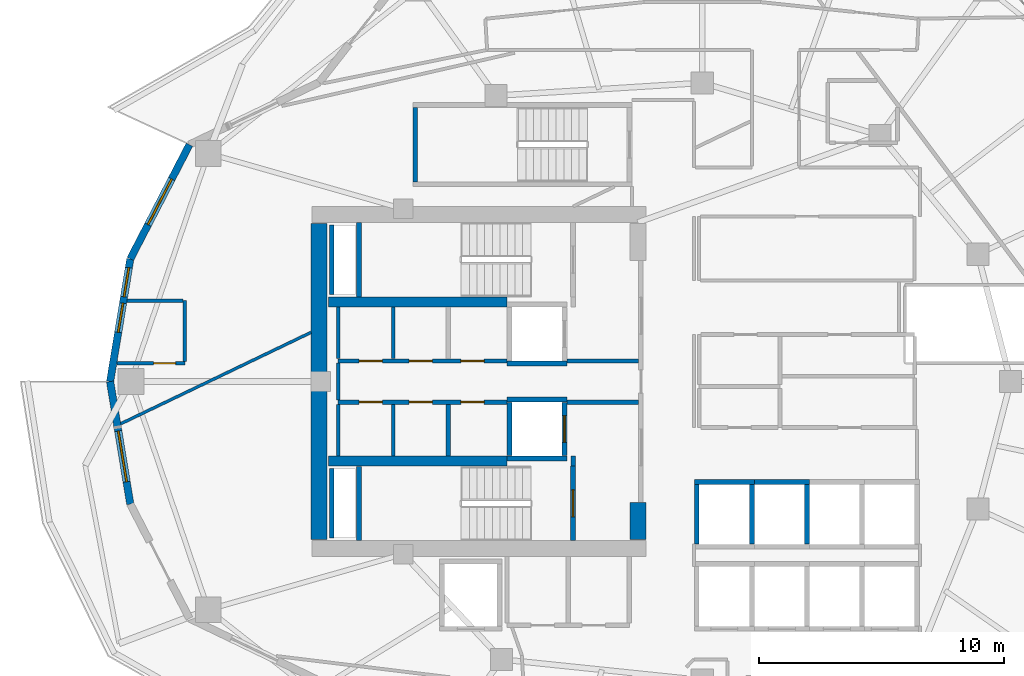
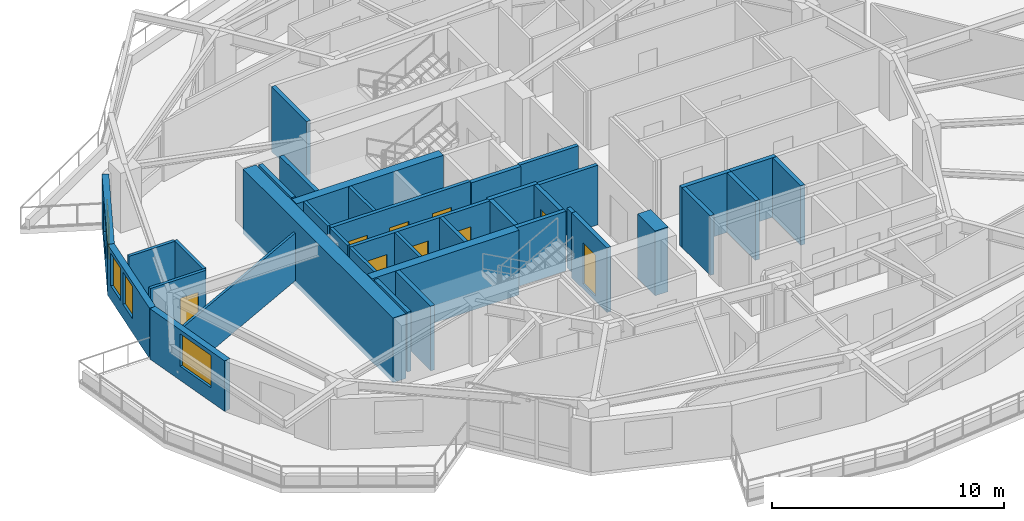
# One storey, part 9 of 19: 38 walls, 9 doors, 4 windows, 13 openings.
"""IFC4 building model written with IfcOpenShell, lengths in metres."""

from ifc_helpers import new_model, si_unit, direction, frame, frame_2d, origin, place, context, subcontext, project, spatial, rectangle, extrude, material, layer, layer_set, type_object, element, fill, save


model = new_model("IFC4")

# Units and contexts
model_context = context("Model", 3, precision=1e-05, world=origin(), true_north=direction((0.0, 1.0)))
body_context = subcontext(model_context, "Body", "Model", "MODEL_VIEW")
ifc_project = project(units=[si_unit("LENGTHUNIT", "METRE"), si_unit("AREAUNIT", "SQUARE_METRE"), si_unit("VOLUMEUNIT", "CUBIC_METRE"), si_unit("PLANEANGLEUNIT", "RADIAN"), si_unit("MASSUNIT", "GRAM", prefix="KILO")], contexts=[model_context])

# Site, building, storey
site_placement = place(None, origin())
site = spatial("IfcSite", under=ifc_project, at=site_placement, CompositionType="ELEMENT")
building_placement = place(site_placement, origin())
building = spatial("IfcBuilding", under=site, at=building_placement, Name="Kolvaren Gate Tower and Convention Centre", CompositionType="ELEMENT")
storey_placement = place(building_placement, frame((0.0, 0.0, 122.300048828125)))
storey = spatial("IfcBuildingStorey", under=building, at=storey_placement, Name="L30", CompositionType="ELEMENT", Elevation=122.300048828125)

# Wall
ifc_material_1 = material(Name="Autoclaved Aerated Masonry Blockwork Class 4 (4.0 MPa)", Category="masonry")
ifc_layer_1 = layer(ifc_material_1, 0.179931640625)
ifc_layer_set_1 = layer_set([ifc_layer_1], Name="Autoclaved Aerated Masonry Blockwork Class 4 (4.0 MPa)")
wall_type_1 = type_object("IfcWallType", Name="ARCH-WL-COMP-180", PredefinedType="SOLIDWALL", material=ifc_layer_set_1)
wall_1_placement = place(storey_placement, frame((24.85009765625, 23.5400390625, 0.0), z_axis=(0.0, 0.0, 1.0), x_axis=(0.0, 1.0, 0.0)))
element("IfcWall", 1, at=wall_1_placement, inside=storey, type_object=wall_type_1, Name="Interior Partition WL-L30-INT-001", PredefinedType="SOLIDWALL", context=body_context, shape_type="SweptSolid", body=[
    extrude(rectangle(XDim=0.419921875, YDim=0.179931640625, at=frame_2d((0.2099609375, 0.0))), origin(), (0.0, 0.0, 1.0), 3.1298828125),
])

# Wall, openings, doors
wall_2_placement = place(storey_placement, frame((15.25, 27.840087890625, 0.0), z_axis=(0.0, 0.0, 1.0), x_axis=(1.0, 0.0, 0.0)))
wall_2 = element("IfcWall", 2, at=wall_2_placement, inside=storey, type_object=wall_type_1, Name="Interior Partition WL-L30-INT-005", PredefinedType="SOLIDWALL", context=body_context, shape_type="SweptSolid", body=[
    extrude(rectangle(XDim=6.89990234375, YDim=0.179931640625, at=frame_2d((3.449951171875, 0.0))), origin(), (0.0, 0.0, 1.0), 3.1298828125),
])
opening_1_placement = place(wall_2_placement, frame((5.02001953125, 0.0, 0.0)))
opening_1 = element("IfcOpeningElement", 3, at=opening_1_placement, cuts=wall_2, Name="Opening DR-01", PredefinedType="OPENING", context=body_context, shape_type="SweptSolid", body=[
    extrude(rectangle(XDim=0.949951171875, YDim=2.10009765625, at=frame_2d((0.47509765625, 1.050048828125))), frame((0.0, 0.099853515625, 0.0), z_axis=(0.0, -1.0, 0.0), x_axis=(1.0, 0.0, 0.0)), (0.0, 0.0, 1.0), 0.199951171875),
])
opening_2_placement = place(wall_2_placement, frame((0.85498046875, 0.0, 0.0)))
opening_2 = element("IfcOpeningElement", 4, at=opening_2_placement, cuts=wall_2, Name="Opening DR-01", PredefinedType="OPENING", context=body_context, shape_type="SweptSolid", body=[
    extrude(rectangle(XDim=0.949951171875, YDim=2.10009765625, at=frame_2d((0.47509765625, 1.050048828125))), frame((0.0, 0.099853515625, 0.0), z_axis=(0.0, -1.0, 0.0), x_axis=(1.0, 0.0, 0.0)), (0.0, 0.0, 1.0), 0.199951171875),
])
opening_3_placement = place(wall_2_placement, frame((2.89990234375, 0.0, 0.0)))
opening_3 = element("IfcOpeningElement", 5, at=opening_3_placement, cuts=wall_2, Name="Opening DR-01", PredefinedType="OPENING", context=body_context, shape_type="SweptSolid", body=[
    extrude(rectangle(XDim=0.949951171875, YDim=2.10009765625, at=frame_2d((0.47509765625, 1.050048828125))), frame((0.0, 0.099853515625, 0.0), z_axis=(0.0, -1.0, 0.0), x_axis=(1.0, 0.0, 0.0)), (0.0, 0.0, 1.0), 0.199951171875),
])
ifc_material_2 = material(Name="Painted Architectural Steelwork ASTM A500 Grade C 345 MPa", Category="steel")
door_type_1 = type_object("IfcDoorType", Name="ARCH-DR-RISER-950", OperationType="SINGLE_SWING_RIGHT", PredefinedType="DOOR", material=ifc_material_2)
door_1_placement = place(opening_1_placement, origin())
door_1 = element("IfcDoor", 6, at=door_1_placement, inside=storey, type_object=door_type_1, Name="Electrical Switchgear Closet Door", OperationType="SINGLE_SWING_RIGHT", OverallHeight=2.10009765625, OverallWidth=0.949951171875, PredefinedType="DOOR", context=body_context, shape_type="SweptSolid", body=[
    extrude(rectangle(XDim=0.949951171875, YDim=2.10009765625, at=frame_2d((0.47509765625, 1.050048828125))), frame((0.0, 0.02490234375, 0.0), z_axis=(0.0, -1.0, 0.0), x_axis=(1.0, 0.0, 0.0)), (0.0, 0.0, 1.0), 0.050048828125),
])
fill(opening_1, door_1)
door_2_placement = place(opening_2_placement, origin())
door_2 = element("IfcDoor", 7, at=door_2_placement, inside=storey, type_object=door_type_1, Name="Staff Accessible WC Door", OperationType="SINGLE_SWING_RIGHT", OverallHeight=2.10009765625, OverallWidth=0.949951171875, PredefinedType="DOOR", context=body_context, shape_type="SweptSolid", body=[
    extrude(rectangle(XDim=0.949951171875, YDim=2.10009765625, at=frame_2d((0.47509765625, 1.050048828125))), frame((0.0, 0.02490234375, 0.0), z_axis=(0.0, -1.0, 0.0), x_axis=(1.0, 0.0, 0.0)), (0.0, 0.0, 1.0), 0.050048828125),
])
fill(opening_2, door_2)
door_3_placement = place(opening_3_placement, origin())
door_3 = element("IfcDoor", 8, at=door_3_placement, inside=storey, type_object=door_type_1, Name="Housekeeping Sink Closet Door", OperationType="SINGLE_SWING_LEFT", OverallHeight=2.10009765625, OverallWidth=0.949951171875, PredefinedType="DOOR", context=body_context, shape_type="SweptSolid", body=[
    extrude(rectangle(XDim=0.949951171875, YDim=2.10009765625, at=frame_2d((0.47509765625, 1.050048828125))), frame((0.0, 0.02490234375, 0.0), z_axis=(0.0, -1.0, 0.0), x_axis=(1.0, 0.0, 0.0)), (0.0, 0.0, 1.0), 0.050048828125),
])
fill(opening_3, door_3)

# Wall
wall_3_placement = place(storey_placement, frame((24.60009765625, 27.840087890625, 0.0), z_axis=(0.0, 0.0, 1.0), x_axis=(1.0, 0.0, 0.0)))
element("IfcWall", 9, at=wall_3_placement, inside=storey, type_object=wall_type_1, Name="Interior Partition WL-L30-INT-005 (2)", PredefinedType="SOLIDWALL", context=body_context, shape_type="SweptSolid", body=[
    extrude(rectangle(XDim=2.927978515625, YDim=0.179931640625, at=frame_2d((1.4638671875, 0.0))), origin(), (0.0, 0.0, 1.0), 3.1298828125),
])

# Wall, openings, doors
wall_4_placement = place(storey_placement, frame((15.25, 26.159912109375, 0.0), z_axis=(0.0, 0.0, 1.0), x_axis=(1.0, 0.0, 0.0)))
wall_4 = element("IfcWall", 10, at=wall_4_placement, inside=storey, type_object=wall_type_1, Name="Interior Partition WL-L30-INT-006", PredefinedType="SOLIDWALL", context=body_context, shape_type="SweptSolid", body=[
    extrude(rectangle(XDim=6.89990234375, YDim=0.179931640625, at=frame_2d((3.449951171875, 0.0))), origin(), (0.0, 0.0, 1.0), 3.1298828125),
])
opening_4_placement = place(wall_4_placement, frame((5.02001953125, 0.0, 0.0)))
opening_4 = element("IfcOpeningElement", 11, at=opening_4_placement, cuts=wall_4, Name="Opening DR-01", PredefinedType="OPENING", context=body_context, shape_type="SweptSolid", body=[
    extrude(rectangle(XDim=0.949951171875, YDim=2.10009765625, at=frame_2d((0.47509765625, 1.050048828125))), frame((0.0, 0.099853515625, 0.0), z_axis=(0.0, -1.0, 0.0), x_axis=(1.0, 0.0, 0.0)), (0.0, 0.0, 1.0), 0.199951171875),
])
opening_5_placement = place(wall_4_placement, frame((0.85498046875, 0.0, 0.0)))
opening_5 = element("IfcOpeningElement", 12, at=opening_5_placement, cuts=wall_4, Name="Opening DR-01", PredefinedType="OPENING", context=body_context, shape_type="SweptSolid", body=[
    extrude(rectangle(XDim=0.949951171875, YDim=2.10009765625, at=frame_2d((0.47509765625, 1.050048828125))), frame((0.0, 0.099853515625, 0.0), z_axis=(0.0, -1.0, 0.0), x_axis=(1.0, 0.0, 0.0)), (0.0, 0.0, 1.0), 0.199951171875),
])
opening_6_placement = place(wall_4_placement, frame((2.89990234375, 0.0, 0.0)))
opening_6 = element("IfcOpeningElement", 13, at=opening_6_placement, cuts=wall_4, Name="Opening DR-01", PredefinedType="OPENING", context=body_context, shape_type="SweptSolid", body=[
    extrude(rectangle(XDim=0.949951171875, YDim=2.10009765625, at=frame_2d((0.47509765625, 1.050048828125))), frame((0.0, 0.099853515625, 0.0), z_axis=(0.0, -1.0, 0.0), x_axis=(1.0, 0.0, 0.0)), (0.0, 0.0, 1.0), 0.199951171875),
])
door_4_placement = place(opening_4_placement, origin())
door_4 = element("IfcDoor", 14, at=door_4_placement, inside=storey, type_object=door_type_1, Name="Domestic Water Meter Closet Door", OperationType="SINGLE_SWING_LEFT", OverallHeight=2.10009765625, OverallWidth=0.949951171875, PredefinedType="DOOR", context=body_context, shape_type="SweptSolid", body=[
    extrude(rectangle(XDim=0.949951171875, YDim=2.10009765625, at=frame_2d((0.47509765625, 1.050048828125))), frame((0.0, 0.02490234375, 0.0), z_axis=(0.0, -1.0, 0.0), x_axis=(1.0, 0.0, 0.0)), (0.0, 0.0, 1.0), 0.050048828125),
])
fill(opening_4, door_4)
door_5_placement = place(opening_5_placement, origin())
door_5 = element("IfcDoor", 15, at=door_5_placement, inside=storey, type_object=door_type_1, Name="Beverage Service Pantry Door", OperationType="SINGLE_SWING_RIGHT", OverallHeight=2.10009765625, OverallWidth=0.949951171875, PredefinedType="DOOR", context=body_context, shape_type="SweptSolid", body=[
    extrude(rectangle(XDim=0.949951171875, YDim=2.10009765625, at=frame_2d((0.47509765625, 1.050048828125))), frame((0.0, 0.02490234375, 0.0), z_axis=(0.0, -1.0, 0.0), x_axis=(1.0, 0.0, 0.0)), (0.0, 0.0, 1.0), 0.050048828125),
])
fill(opening_5, door_5)
door_6_placement = place(opening_6_placement, origin())
door_6 = element("IfcDoor", 16, at=door_6_placement, inside=storey, type_object=door_type_1, Name="Archive Supply Closet Door", OperationType="SINGLE_SWING_LEFT", OverallHeight=2.10009765625, OverallWidth=0.949951171875, PredefinedType="DOOR", context=body_context, shape_type="SweptSolid", body=[
    extrude(rectangle(XDim=0.949951171875, YDim=2.10009765625, at=frame_2d((0.47509765625, 1.050048828125))), frame((0.0, 0.02490234375, 0.0), z_axis=(0.0, -1.0, 0.0), x_axis=(1.0, 0.0, 0.0)), (0.0, 0.0, 1.0), 0.050048828125),
])
fill(opening_6, door_6)

# Walls
wall_5_placement = place(storey_placement, frame((24.60009765625, 26.159912109375, 0.0), z_axis=(0.0, 0.0, 1.0), x_axis=(1.0, 0.0, 0.0)))
element("IfcWall", 17, at=wall_5_placement, inside=storey, type_object=wall_type_1, Name="Interior Partition WL-L30-INT-006 (2)", PredefinedType="SOLIDWALL", context=body_context, shape_type="SweptSolid", body=[
    extrude(rectangle(XDim=2.927978515625, YDim=0.179931640625, at=frame_2d((1.4638671875, 0.0))), origin(), (0.0, 0.0, 1.0), 3.1298828125),
])
wall_6_placement = place(storey_placement, frame((19.75, 23.9619140625, 0.0), z_axis=(0.0, 0.0, 1.0), x_axis=(0.0, 1.0, 0.0)))
element("IfcWall", 18, at=wall_6_placement, inside=storey, type_object=wall_type_1, Name="Interior Partition WL-L30-INT-008", PredefinedType="SOLIDWALL", context=body_context, shape_type="SweptSolid", body=[
    extrude(rectangle(XDim=2.106201171875, YDim=0.179931640625, at=frame_2d((1.05322265625, 0.0))), origin(), (0.0, 0.0, 1.0), 3.1298828125),
])
ifc_material_3 = material(Name="Fire-Rated Acoustic Gypsum Stud Partition", Category="gypsum")
ifc_layer_2 = layer(ifc_material_3, 0.1201171875)
ifc_layer_set_2 = layer_set([ifc_layer_2], Name="Fire-Rated Acoustic Gypsum Stud Partition")
wall_type_2 = type_object("IfcWallType", Name="ARCH-WL-PART-120", PredefinedType="PARTITIONING", material=ifc_layer_set_2)
wall_7_placement = place(storey_placement, frame((6.375244140625, 25.2763671875, 0.0), z_axis=(0.0, 0.0, 1.0), x_axis=(0.901443069762, 0.432897669177, 0.0)))
element("IfcWall", 19, at=wall_7_placement, inside=storey, type_object=wall_type_2, Name="Interior Partition WL-L30-INT-060", PredefinedType="PARTITIONING", context=body_context, shape_type="SweptSolid", body=[
    extrude(rectangle(XDim=8.62255859375, YDim=0.1201171875, at=frame_2d((4.311279296875, 0.0))), origin(), (0.0, 0.0, 1.0), 2.5048828125),
])
ifc_layer_3 = layer(ifc_material_1, 0.199951171875)
ifc_layer_set_3 = layer_set([ifc_layer_3], Name="Autoclaved Aerated Masonry Blockwork Class 4 (4.0 MPa)")
wall_type_3 = type_object("IfcWallType", Name="ARCH-WL-SHAFT-200", PredefinedType="SOLIDWALL", material=ifc_layer_set_3)
for number, where, z_axis, x_axis, name in (
    (20, (22.14990234375, 27.739990234375, 0.0), (0.0, 0.0, 1.0), (1.0, 0.0, 0.0), "Elevator FF-01 L30 Fire Shaft Wall S"),
    (21, (22.14990234375, 26.260009765625, 0.0), (0.0, 0.0, 1.0), (1.0, 0.0, 0.0), "Elevator FF-02 L30 Fire Shaft Wall N"),
    (22, (22.14990234375, 23.860107421875, 0.0), (0.0, 0.0, 1.0), (1.0, 0.0, 0.0), "Elevator FF-02 L30 Fire Shaft Wall S"),
):
    element("IfcWall", number, at=place(storey_placement, frame(where, z_axis=z_axis, x_axis=x_axis)), inside=storey, type_object=wall_type_3, Name=name, PredefinedType="SOLIDWALL", context=body_context, shape_type="SweptSolid", body=[
        extrude(rectangle(XDim=2.4501953125, YDim=0.199951171875, at=frame_2d((1.22509765625, 0.0))), origin(), (0.0, 0.0, 1.0), 3.1298828125),
    ])
wall_8_placement = place(storey_placement, frame((22.25, 23.969970703125, 0.0), z_axis=(0.0, 0.0, 1.0), x_axis=(0.0, 1.0, 0.0)))
element("IfcWall", 23, at=wall_8_placement, inside=storey, type_object=wall_type_3, Name="Elevator FF-02 L30 Fire Shaft Wall W", PredefinedType="SOLIDWALL", context=body_context, shape_type="SweptSolid", body=[
    extrude(rectangle(XDim=2.179931640625, YDim=0.199951171875, at=frame_2d((1.08984375, 0.0))), origin(), (0.0, 0.0, 1.0), 3.1298828125),
])

# Wall, opening, door
wall_9_placement = place(storey_placement, frame((24.5, 23.969970703125, 0.0), z_axis=(0.0, 0.0, 1.0), x_axis=(0.0, 1.0, 0.0)))
wall_9 = element("IfcWall", 24, at=wall_9_placement, inside=storey, type_object=wall_type_3, Name="Elevator FF-02 L30 Fire Shaft Wall E", PredefinedType="SOLIDWALL", context=body_context, shape_type="SweptSolid", body=[
    extrude(rectangle(XDim=2.179931640625, YDim=0.199951171875, at=frame_2d((1.08984375, 0.0))), origin(), (0.0, 0.0, 1.0), 3.1298828125),
])
opening_7_placement = place(wall_9_placement, frame((0.5400390625, 0.0, 0.0)))
opening_7 = element("IfcOpeningElement", 25, at=opening_7_placement, cuts=wall_9, Name="Opening LD", PredefinedType="OPENING", context=body_context, shape_type="SweptSolid", body=[
    extrude(rectangle(XDim=1.10009765625, YDim=2.199951171875, at=frame_2d((0.550048828125, 1.10009765625))), frame((0.0, 0.10986328125, 0.0), z_axis=(0.0, -1.0, 0.0), x_axis=(1.0, 0.0, 0.0)), (0.0, 0.0, 1.0), 0.219970703125),
])
ifc_material_4 = material(Name="Brushed Stainless Steel Grade 316L", Category="steel")
door_type_2 = type_object("IfcDoorType", Name="ARCH-DR-LIFT-1100", OperationType="SLIDING_TO_LEFT", PredefinedType="DOOR", material=ifc_material_4)
door_7_placement = place(opening_7_placement, origin())
door_7 = element("IfcDoor", 26, at=door_7_placement, inside=storey, type_object=door_type_2, Name="Elevator FF-02 L30 Sliding Landing Door", OperationType="SLIDING_TO_LEFT", OverallHeight=2.199951171875, OverallWidth=1.10009765625, PredefinedType="DOOR", context=body_context, shape_type="SweptSolid", body=[
    extrude(rectangle(XDim=1.10009765625, YDim=2.199951171875, at=frame_2d((0.550048828125, 1.10009765625))), frame((0.0, 0.02490234375, 0.0), z_axis=(0.0, -1.0, 0.0), x_axis=(1.0, 0.0, 0.0)), (0.0, 0.0, 1.0), 0.050048828125),
])
fill(opening_7, door_7)

# Walls
wall_10_placement = place(storey_placement, frame((29.800048828125, 22.89990234375, 0.0), z_axis=(0.0, 0.0, 1.0), x_axis=(1.0, 0.0, 0.0)))
element("IfcWall", 27, at=wall_10_placement, inside=storey, type_object=wall_type_3, Name="Elevator PL-09 L30 Fire Shaft Wall N", PredefinedType="SOLIDWALL", context=body_context, shape_type="SweptSolid", body=[
    extrude(rectangle(XDim=2.449951171875, YDim=0.199951171875, at=frame_2d((1.22509765625, 0.0))), origin(), (0.0, 0.0, 1.0), 3.1298828125),
])
for number, where, z_axis, x_axis, name in (
    (28, (29.89990234375, 20.360107421875, 0.0), (0.0, 0.0, 1.0), (0.0, 1.0, 0.0), "Elevator PL-09 L30 Fire Shaft Wall W"),
    (29, (32.14990234375, 20.360107421875, 0.0), (0.0, 0.0, 1.0), (0.0, 1.0, 0.0), "Elevator PL-09 L30 Fire Shaft Wall E"),
):
    element("IfcWall", number, at=place(storey_placement, frame(where, z_axis=z_axis, x_axis=x_axis)), inside=storey, type_object=wall_type_3, Name=name, PredefinedType="SOLIDWALL", context=body_context, shape_type="SweptSolid", body=[
        extrude(rectangle(XDim=2.429931640625, YDim=0.199951171875, at=frame_2d((1.21484375, 0.0))), origin(), (0.0, 0.0, 1.0), 3.1298828125),
    ])
wall_11_placement = place(storey_placement, frame((32.25, 22.89990234375, 0.0), z_axis=(0.0, 0.0, 1.0), x_axis=(1.0, 0.0, 0.0)))
element("IfcWall", 30, at=wall_11_placement, inside=storey, type_object=wall_type_3, Name="Elevator PL-10 L30 Fire Shaft Wall N", PredefinedType="SOLIDWALL", context=body_context, shape_type="SweptSolid", body=[
    extrude(rectangle(XDim=2.25, YDim=0.199951171875, at=frame_2d((1.125, 0.0))), origin(), (0.0, 0.0, 1.0), 3.1298828125),
])
wall_12_placement = place(storey_placement, frame((34.39990234375, 20.360107421875, 0.0), z_axis=(0.0, 0.0, 1.0), x_axis=(0.0, 1.0, 0.0)))
element("IfcWall", 31, at=wall_12_placement, inside=storey, type_object=wall_type_3, Name="Elevator PL-10 L30 Fire Shaft Wall E", PredefinedType="SOLIDWALL", context=body_context, shape_type="SweptSolid", body=[
    extrude(rectangle(XDim=2.429931640625, YDim=0.199951171875, at=frame_2d((1.21484375, 0.0))), origin(), (0.0, 0.0, 1.0), 3.1298828125),
])
for number, where, z_axis, x_axis, name in (
    (32, (14.989990234375, 30.550048828125, 0.0), (0.0, 0.0, 1.0), (0.0, 1.0, 0.0), "Vertical Shaft HVR L30 EI-120 Enclosure Wall W"),
    (33, (14.989990234375, 20.60009765625, 0.0), (0.0, 0.0, 1.0), (0.0, 1.0, 0.0), "Vertical Shaft MPR L30 EI-120 Enclosure Wall W"),
):
    element("IfcWall", number, at=place(storey_placement, frame(where, z_axis=z_axis, x_axis=x_axis)), inside=storey, type_object=wall_type_3, Name=name, PredefinedType="SOLIDWALL", context=body_context, shape_type="SweptSolid", body=[
        extrude(rectangle(XDim=2.849853515625, YDim=0.199951171875, at=frame_2d((1.4248046875, 0.0))), origin(), (0.0, 0.0, 1.0), 3.1298828125),
    ])

# Wall, opening, window
ifc_material_5 = material(Name="Piedmont Cream Honed Limestone Cladding", Category="masonry")
ifc_layer_4 = layer(ifc_material_5, 0.300048828125)
ifc_layer_set_4 = layer_set([ifc_layer_4], Name="Piedmont Cream Honed Limestone Cladding")
wall_type_4 = type_object("IfcWallType", Name="ARCH-WL-STONE-300", PredefinedType="SOLIDWALL", material=ifc_layer_set_4)
wall_13_placement = place(storey_placement, frame((6.76171875, 32.008056640625, 0.0), z_axis=(0.0, 0.0, 1.0), x_axis=(0.459767899643, 0.888039119892, 0.0)))
wall_13 = element("IfcWall", 34, at=wall_13_placement, inside=storey, type_object=wall_type_4, Name="Tower L30 Honed Stone Spandrel Wall EW-10", PredefinedType="SOLIDWALL", context=body_context, shape_type="SweptSolid", body=[
    extrude(rectangle(XDim=5.25537109375, YDim=0.300048828125, at=frame_2d((2.627685546875, 0.0))), origin(), (0.0, 0.0, 1.0), 2.65283203125),
])
opening_8_placement = place(wall_13_placement, frame((1.577880859375, 0.0, 0.739990234375)))
opening_8 = element("IfcOpeningElement", 35, at=opening_8_placement, cuts=wall_13, Name="Opening W-02", PredefinedType="OPENING", context=body_context, shape_type="SweptSolid", body=[
    extrude(rectangle(XDim=2.10009765625, YDim=1.699951171875, at=frame_2d((1.050048828125, 0.85009765625))), frame((0.0, 0.159912109375, 0.0), z_axis=(0.0, -1.0, 0.0), x_axis=(1.0, 0.0, 0.0)), (0.0, 0.0, 1.0), 0.320068359375),
])
ifc_material_6 = material(Name="Low-E Triple Insulated Glazing Unit 44 mm", Category="glass")
window_type_1 = type_object("IfcWindowType", Name="ARCH-WN-HTL-2100", PartitioningType="SINGLE_PANEL", PredefinedType="WINDOW", material=ifc_material_6)
window_1_placement = place(opening_8_placement, origin())
window_1 = element("IfcWindow", 36, at=window_1_placement, inside=storey, type_object=window_type_1, Name="Tower L30 Punched Stone Facade Window W-10", OverallHeight=1.699951171875, OverallWidth=2.10009765625, PartitioningType="SINGLE_PANEL", PredefinedType="WINDOW", context=body_context, shape_type="SweptSolid", body=[
    extrude(rectangle(XDim=2.10009765625, YDim=1.699951171875, at=frame_2d((1.050048828125, 0.85009765625))), frame((0.0, 0.030029296875, 0.0), z_axis=(0.0, -1.0, 0.0), x_axis=(1.0, 0.0, 0.0)), (0.0, 0.0, 1.0), 0.06005859375),
])
fill(opening_8, window_1)

# Wall, openings, windows
wall_14_placement = place(storey_placement, frame((5.9375, 27.0, 0.0), z_axis=(0.0, 0.0, 1.0), x_axis=(0.162393944769, 0.986726003864, 0.0)))
wall_14 = element("IfcWall", 37, at=wall_14_placement, inside=storey, type_object=wall_type_4, Name="Tower L30 Honed Stone Spandrel Wall EW-11", PredefinedType="SOLIDWALL", context=body_context, shape_type="SweptSolid", body=[
    extrude(rectangle(XDim=5.075439453125, YDim=0.300048828125, at=frame_2d((2.53759765625, 0.0))), origin(), (0.0, 0.0, 1.0), 2.65283203125),
])
opening_9_placement = place(wall_14_placement, frame((2.039306640625, 0.0, 0.739990234375)))
opening_9 = element("IfcOpeningElement", 38, at=opening_9_placement, cuts=wall_14, Name="Opening W-04", PredefinedType="OPENING", context=body_context, shape_type="SweptSolid", body=[
    extrude(rectangle(XDim=1.199951171875, YDim=1.699951171875, at=frame_2d((0.60009765625, 0.85009765625))), frame((0.0, 0.159912109375, 0.0), z_axis=(0.0, -1.0, 0.0), x_axis=(1.0, 0.0, 0.0)), (0.0, 0.0, 1.0), 0.320068359375),
])
opening_10_placement = place(wall_14_placement, frame((3.509765625, 0.0, 0.739990234375)))
opening_10 = element("IfcOpeningElement", 39, at=opening_10_placement, cuts=wall_14, Name="Opening W-04", PredefinedType="OPENING", context=body_context, shape_type="SweptSolid", body=[
    extrude(rectangle(XDim=1.199951171875, YDim=1.699951171875, at=frame_2d((0.60009765625, 0.85009765625))), frame((0.0, 0.159912109375, 0.0), z_axis=(0.0, -1.0, 0.0), x_axis=(1.0, 0.0, 0.0)), (0.0, 0.0, 1.0), 0.320068359375),
])
window_type_2 = type_object("IfcWindowType", Name="ARCH-WN-NARROW-1200", PartitioningType="SINGLE_PANEL", PredefinedType="WINDOW", material=ifc_material_6)
window_2_placement = place(opening_9_placement, origin())
window_2 = element("IfcWindow", 40, at=window_2_placement, inside=storey, type_object=window_type_2, Name="Tower L30 Punched Stone Facade Window W-11", OverallHeight=1.699951171875, OverallWidth=1.199951171875, PartitioningType="SINGLE_PANEL", PredefinedType="WINDOW", context=body_context, shape_type="SweptSolid", body=[
    extrude(rectangle(XDim=1.199951171875, YDim=1.699951171875, at=frame_2d((0.60009765625, 0.85009765625))), frame((0.0, 0.030029296875, 0.0), z_axis=(0.0, -1.0, 0.0), x_axis=(1.0, 0.0, 0.0)), (0.0, 0.0, 1.0), 0.06005859375),
])
fill(opening_9, window_2)
window_3_placement = place(opening_10_placement, origin())
window_3 = element("IfcWindow", 41, at=window_3_placement, inside=storey, type_object=window_type_2, Name="Tower L30 Punched Stone Facade Window W-11B", OverallHeight=1.699951171875, OverallWidth=1.199951171875, PartitioningType="SINGLE_PANEL", PredefinedType="WINDOW", context=body_context, shape_type="SweptSolid", body=[
    extrude(rectangle(XDim=1.199951171875, YDim=1.699951171875, at=frame_2d((0.60009765625, 0.85009765625))), frame((0.0, 0.030029296875, 0.0), z_axis=(0.0, -1.0, 0.0), x_axis=(1.0, 0.0, 0.0)), (0.0, 0.0, 1.0), 0.06005859375),
])
fill(opening_10, window_3)

# Wall, opening, window
wall_15_placement = place(storey_placement, frame((5.9375, 27.0, 0.0), z_axis=(0.0, 0.0, 1.0), x_axis=(0.162393944769, -0.986726003864, 0.0)))
wall_15 = element("IfcWall", 42, at=wall_15_placement, inside=storey, type_object=wall_type_4, Name="Tower L30 Honed Stone Spandrel Wall EW-12", PredefinedType="SOLIDWALL", context=body_context, shape_type="SweptSolid", body=[
    extrude(rectangle(XDim=5.075439453125, YDim=0.300048828125, at=frame_2d((2.53759765625, 0.0))), origin(), (0.0, 0.0, 1.0), 2.65283203125),
])
opening_11_placement = place(wall_15_placement, frame((2.050048828125, 0.0, 0.739990234375)))
opening_11 = element("IfcOpeningElement", 43, at=opening_11_placement, cuts=wall_15, Name="Opening W-02", PredefinedType="OPENING", context=body_context, shape_type="SweptSolid", body=[
    extrude(rectangle(XDim=2.10009765625, YDim=1.699951171875, at=frame_2d((1.050048828125, 0.85009765625))), frame((0.0, 0.159912109375, 0.0), z_axis=(0.0, -1.0, 0.0), x_axis=(1.0, 0.0, 0.0)), (0.0, 0.0, 1.0), 0.320068359375),
])
window_4_placement = place(opening_11_placement, origin())
window_4 = element("IfcWindow", 44, at=window_4_placement, inside=storey, type_object=window_type_1, Name="Tower L30 Punched Stone Facade Window W-12", OverallHeight=1.699951171875, OverallWidth=2.10009765625, PartitioningType="SINGLE_PANEL", PredefinedType="WINDOW", context=body_context, shape_type="SweptSolid", body=[
    extrude(rectangle(XDim=2.10009765625, YDim=1.699951171875, at=frame_2d((1.050048828125, 0.85009765625))), frame((0.0, 0.030029296875, 0.0), z_axis=(0.0, -1.0, 0.0), x_axis=(1.0, 0.0, 0.0)), (0.0, 0.0, 1.0), 0.06005859375),
])
fill(opening_11, window_4)

# Walls
ifc_material_7 = material(Name="Moisture-Resistant Cement-Board Acoustic Partition", Category="gypsum")
ifc_layer_5 = layer(ifc_material_7, 0.14990234375)
ifc_layer_set_5 = layer_set([ifc_layer_5], Name="Moisture-Resistant Cement-Board Acoustic Partition")
wall_type_5 = type_object("IfcWallType", Name="ARCH-WL-WET-150", PredefinedType="PARTITIONING", material=ifc_layer_set_5)
wall_16_placement = place(storey_placement, frame((15.25, 23.9619140625, 0.0), z_axis=(0.0, 0.0, 1.0), x_axis=(0.0, 1.0, 0.0)))
element("IfcWall", 45, at=wall_16_placement, inside=storey, type_object=wall_type_5, Name="Interior Partition WL-L30-INT-007", PredefinedType="PARTITIONING", context=body_context, shape_type="SweptSolid", body=[
    extrude(rectangle(XDim=2.106201171875, YDim=0.14990234375, at=frame_2d((1.05322265625, 0.0))), origin(), (0.0, 0.0, 1.0), 3.1298828125),
])
wall_17_placement = place(storey_placement, frame((15.25, 26.251953125, 0.0), z_axis=(0.0, 0.0, 1.0), x_axis=(0.0, 1.0, 0.0)))
element("IfcWall", 46, at=wall_17_placement, inside=storey, type_object=wall_type_5, Name="Interior Partition WL-L30-INT-007 (2)", PredefinedType="PARTITIONING", context=body_context, shape_type="SweptSolid", body=[
    extrude(rectangle(XDim=1.49609375, YDim=0.14990234375, at=frame_2d((0.748046875, 0.0))), origin(), (0.0, 0.0, 1.0), 3.1298828125),
])
for number, where, z_axis, x_axis, name in (
    (47, (15.25, 27.931884765625, 0.0), (0.0, 0.0, 1.0), (0.0, 1.0, 0.0), "Interior Partition WL-L30-INT-007 (3)"),
    (48, (17.5, 23.9619140625, 0.0), (0.0, 0.0, 1.0), (0.0, 1.0, 0.0), "Interior Partition WL-L30-INT-010"),
    (49, (17.5, 27.931884765625, 0.0), (0.0, 0.0, 1.0), (0.0, 1.0, 0.0), "Interior Partition WL-L30-INT-011"),
):
    element("IfcWall", number, at=place(storey_placement, frame(where, z_axis=z_axis, x_axis=x_axis)), inside=storey, type_object=wall_type_5, Name=name, PredefinedType="PARTITIONING", context=body_context, shape_type="SweptSolid", body=[
        extrude(rectangle(XDim=2.106201171875, YDim=0.14990234375, at=frame_2d((1.05322265625, 0.0))), origin(), (0.0, 0.0, 1.0), 3.1298828125),
    ])

# Wall, opening, door
wall_18_placement = place(storey_placement, frame((6.215087890625, 27.75, 0.0), z_axis=(0.0, 0.0, 1.0), x_axis=(1.0, 0.0, 0.0)))
wall_18 = element("IfcWall", 50, at=wall_18_placement, inside=storey, type_object=wall_type_5, Name="Interior Partition WL-L30-INT-068", PredefinedType="PARTITIONING", context=body_context, shape_type="SweptSolid", body=[
    extrude(rectangle(XDim=2.77392578125, YDim=0.14990234375, at=frame_2d((1.386962890625, 0.0))), origin(), (0.0, 0.0, 1.0), 3.1298828125),
])
opening_12_placement = place(wall_18_placement, frame((1.4970703125, 0.0, 0.0)))
opening_12 = element("IfcOpeningElement", 51, at=opening_12_placement, cuts=wall_18, Name="Opening DW-01", PredefinedType="OPENING", context=body_context, shape_type="SweptSolid", body=[
    extrude(rectangle(XDim=0.89990234375, YDim=2.10009765625, at=frame_2d((0.449951171875, 1.050048828125))), frame((0.0, 0.0849609375, 0.0), z_axis=(0.0, -1.0, 0.0), x_axis=(1.0, 0.0, 0.0)), (0.0, 0.0, 1.0), 0.169921875),
])
ifc_material_8 = material(Name="FSC Andean Oak Engineered Veneer Door Leaf", Category="wood")
door_type_3 = type_object("IfcDoorType", Name="ARCH-DR-WC-900", OperationType="SINGLE_SWING_RIGHT", PredefinedType="DOOR", material=ifc_material_8)
door_8_placement = place(opening_12_placement, origin())
door_8 = element("IfcDoor", 52, at=door_8_placement, inside=storey, type_object=door_type_3, Name="En-suite Bathroom (HTL-L30-09) Door", OperationType="SINGLE_SWING_RIGHT", OverallHeight=2.10009765625, OverallWidth=0.89990234375, PredefinedType="DOOR", context=body_context, shape_type="SweptSolid", body=[
    extrude(rectangle(XDim=0.89990234375, YDim=2.10009765625, at=frame_2d((0.449951171875, 1.050048828125))), frame((0.0, 0.02490234375, 0.0), z_axis=(0.0, -1.0, 0.0), x_axis=(1.0, 0.0, 0.0)), (0.0, 0.0, 1.0), 0.050048828125),
])
fill(opening_12, door_8)

# Walls
wall_19_placement = place(storey_placement, frame((8.989013671875, 27.826904296875, 0.0), z_axis=(0.0, 0.0, 1.0), x_axis=(0.0, 1.0, 0.0)))
element("IfcWall", 53, at=wall_19_placement, inside=storey, type_object=wall_type_5, Name="Interior Partition WL-L30-INT-092", PredefinedType="PARTITIONING", context=body_context, shape_type="SweptSolid", body=[
    extrude(rectangle(XDim=2.47314453125, YDim=0.14990234375, at=frame_2d((1.236572265625, 0.0))), origin(), (0.0, 0.0, 1.0), 3.1298828125),
])
wall_20_placement = place(storey_placement, frame((6.634521484375, 30.300048828125, 0.0), z_axis=(0.0, 0.0, 1.0), x_axis=(1.0, 0.0, 0.0)))
element("IfcWall", 54, at=wall_20_placement, inside=storey, type_object=wall_type_5, Name="Interior Partition WL-L30-INT-093", PredefinedType="PARTITIONING", context=body_context, shape_type="SweptSolid", body=[
    extrude(rectangle(XDim=2.277587890625, YDim=0.14990234375, at=frame_2d((1.138671875, 0.0))), origin(), (0.0, 0.0, 1.0), 3.1298828125),
])
ifc_material_9 = material(Name="Concrete C50/60", Category="concrete")
ifc_layer_6 = layer(ifc_material_9, 0.419921875)
ifc_layer_set_6 = layer_set([ifc_layer_6], Name="Concrete C50/60")
wall_type_6 = type_object("IfcWallType", Name="STR-WL-CONV-420", PredefinedType="SHEAR", material=ifc_layer_set_6)
for number, where, z_axis, x_axis, name in (
    (55, (14.85009765625, 30.25, -0.27001953125), (0.0, 0.0, 1.0), (1.0, 0.0, 0.0), "Tower L30 Offset Core Shear Wall WN"),
    (56, (14.85009765625, 23.75, -0.27001953125), (0.0, 0.0, 1.0), (1.0, 0.0, 0.0), "Tower L30 Offset Core Shear Wall WS"),
):
    element("IfcWall", number, at=place(storey_placement, frame(where, z_axis=z_axis, x_axis=x_axis)), inside=storey, type_object=wall_type_6, Name=name, PredefinedType="SHEAR", context=body_context, shape_type="SweptSolid", body=[
        extrude(rectangle(XDim=7.2998046875, YDim=0.419921875, at=frame_2d((3.64990234375, 0.0))), origin(), (0.0, 0.0, 1.0), 3.39990234375),
    ])
ifc_material_10 = material(Name="Concrete C60/75", Category="concrete")
ifc_layer_7 = layer(ifc_material_10, 0.64990234375)
ifc_layer_set_7 = layer_set([ifc_layer_7], Name="Concrete C60/75")
wall_type_7 = type_object("IfcWallType", Name="STR-WL-CORE-650", PredefinedType="SHEAR", material=ifc_layer_set_7)
wall_21_placement = place(storey_placement, frame((14.47509765625, 20.550048828125, -0.27001953125), z_axis=(0.0, 0.0, 1.0), x_axis=(0.0, 1.0, 0.0)))
element("IfcWall", 57, at=wall_21_placement, inside=storey, type_object=wall_type_7, Name="Tower L30 Offset Core Shear Wall W", PredefinedType="SHEAR", context=body_context, shape_type="SweptSolid", body=[
    extrude(rectangle(XDim=12.89990234375, YDim=0.64990234375, at=frame_2d((6.449951171875, 0.0))), origin(), (0.0, 0.0, 1.0), 3.39990234375),
])
wall_22_placement = place(storey_placement, frame((27.5, 20.550048828125, -0.27001953125), z_axis=(0.0, 0.0, 1.0), x_axis=(0.0, 1.0, 0.0)))
element("IfcWall", 58, at=wall_22_placement, inside=storey, type_object=wall_type_7, Name="Tower L30 Offset Core Shear Wall ES", PredefinedType="SHEAR", context=body_context, shape_type="SweptSolid", body=[
    extrude(rectangle(XDim=1.5, YDim=0.64990234375, at=frame_2d((0.75, 0.0))), origin(), (0.0, 0.0, 1.0), 3.39990234375),
])
ifc_layer_8 = layer(ifc_material_9, 0.199951171875)
ifc_layer_set_8 = layer_set([ifc_layer_8], Name="Concrete C50/60")
wall_type_8 = type_object("IfcWallType", Name="STR-WL-SHAFT-200", PredefinedType="SHEAR", material=ifc_layer_set_8)
wall_23_placement = place(storey_placement, frame((16.10009765625, 30.4619140625, -0.27001953125), z_axis=(0.0, 0.0, 1.0), x_axis=(0.0, 1.0, 0.0)))
element("IfcWall", 59, at=wall_23_placement, inside=storey, type_object=wall_type_8, Name="Tower North Exit Stair ST-T1 L30 Structural Shear Enclosure Wall FAR", PredefinedType="SHEAR", context=body_context, shape_type="SweptSolid", body=[
    extrude(rectangle(XDim=3.0361328125, YDim=0.199951171875, at=frame_2d((1.51806640625, 0.0))), origin(), (0.0, 0.0, 1.0), 3.39990234375),
])

# Wall, opening, door
wall_24_placement = place(storey_placement, frame((24.85009765625, 20.501953125, -0.27001953125), z_axis=(0.0, 0.0, 1.0), x_axis=(0.0, 1.0, 0.0)))
wall_24 = element("IfcWall", 60, at=wall_24_placement, inside=storey, type_object=wall_type_8, Name="Tower South Exit Stair ST-T2 L30 Structural Shear Enclosure Wall NEAR", PredefinedType="SHEAR", context=body_context, shape_type="SweptSolid", body=[
    extrude(rectangle(XDim=3.0380859375, YDim=0.199951171875, at=frame_2d((1.51904296875, 0.0))), origin(), (0.0, 0.0, 1.0), 3.39990234375),
])
opening_13_placement = place(wall_24_placement, frame((0.968994140625, 0.0, 0.27001953125)))
opening_13 = element("IfcOpeningElement", 61, at=opening_13_placement, cuts=wall_24, Name="Opening DS-01", PredefinedType="OPENING", context=body_context, shape_type="SweptSolid", body=[
    extrude(rectangle(XDim=1.10009765625, YDim=2.14990234375, at=frame_2d((0.550048828125, 1.074951171875))), frame((0.0, 0.10986328125, 0.0), z_axis=(0.0, -1.0, 0.0), x_axis=(1.0, 0.0, 0.0)), (0.0, 0.0, 1.0), 0.219970703125),
])
door_type_4 = type_object("IfcDoorType", Name="ARCH-DR-STAIR-1100", OperationType="SINGLE_SWING_LEFT", PredefinedType="DOOR", material=ifc_material_2)
door_9_placement = place(opening_13_placement, origin())
door_9 = element("IfcDoor", 62, at=door_9_placement, inside=storey, type_object=door_type_4, Name="Tower South Exit Stair ST-T2 L30 Fire Exit Stair Door", OperationType="SINGLE_SWING_RIGHT", OverallHeight=2.14990234375, OverallWidth=1.10009765625, PredefinedType="DOOR", context=body_context, shape_type="SweptSolid", body=[
    extrude(rectangle(XDim=1.10009765625, YDim=2.14990234375, at=frame_2d((0.550048828125, 1.074951171875))), frame((0.0, 0.02490234375, 0.0), z_axis=(0.0, -1.0, 0.0), x_axis=(1.0, 0.0, 0.0)), (0.0, 0.0, 1.0), 0.050048828125),
])
fill(opening_13, door_9)

# Walls
wall_25_placement = place(storey_placement, frame((16.10009765625, 20.501953125, -0.27001953125), z_axis=(0.0, 0.0, 1.0), x_axis=(0.0, 1.0, 0.0)))
element("IfcWall", 63, at=wall_25_placement, inside=storey, type_object=wall_type_8, Name="Tower South Exit Stair ST-T2 L30 Structural Shear Enclosure Wall FAR", PredefinedType="SHEAR", context=body_context, shape_type="SweptSolid", body=[
    extrude(rectangle(XDim=3.0361328125, YDim=0.199951171875, at=frame_2d((1.51806640625, 0.0))), origin(), (0.0, 0.0, 1.0), 3.39990234375),
])
wall_26_placement = place(storey_placement, frame((18.39990234375, 35.159912109375, -0.27001953125), z_axis=(0.0, 0.0, 1.0), x_axis=(0.0, 1.0, 0.0)))
element("IfcWall", 64, at=wall_26_placement, inside=storey, type_object=wall_type_8, Name="Tower Mid-Zone Exit Stair ST-T3 L30 Structural Shear Enclosure Wall FAR", PredefinedType="SHEAR", context=body_context, shape_type="SweptSolid", body=[
    extrude(rectangle(XDim=3.0400390625, YDim=0.199951171875, at=frame_2d((1.52001953125, 0.0))), origin(), (0.0, 0.0, 1.0), 3.39990234375),
])

save(model, "model.ifc")
